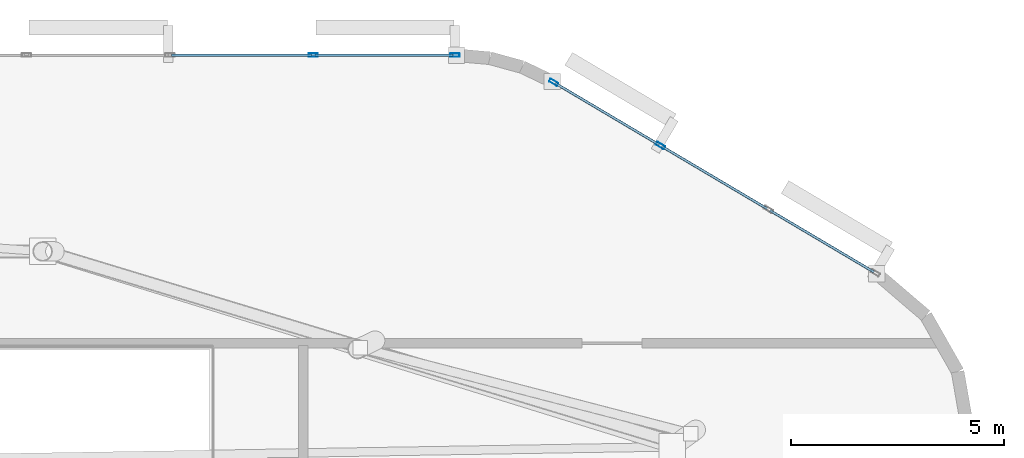
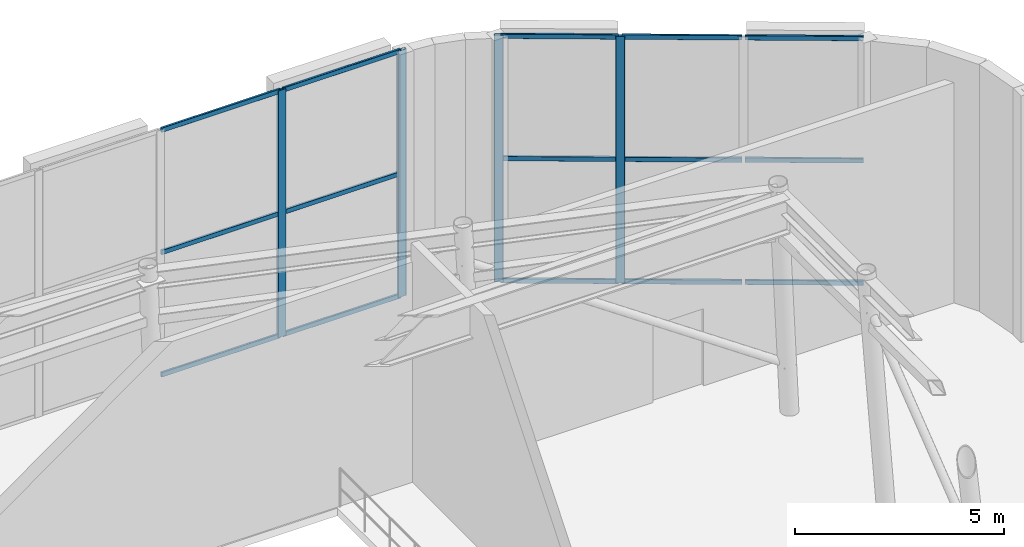
# One storey, part 14 of 20: 19 members, 2 elements without a shape of their own.
"""IFC4 building model written with IfcOpenShell, lengths in metres."""

from ifc_helpers import new_model, si_unit, direction, frame, origin, origin_2d, place, context, subcontext, project, spatial, hollow_rectangle, extrude, material, layer, layer_set, material_profile, profile_set, type_object, element, aggregate, save


model = new_model("IFC4")

# Units and contexts
model_context = context("Model", 3, precision=1e-05, world=origin(), true_north=direction((0.0, 1.0)))
body_context = subcontext(model_context, "Body", "Model", "MODEL_VIEW")
ifc_project = project(units=[si_unit("LENGTHUNIT", "METRE"), si_unit("AREAUNIT", "SQUARE_METRE"), si_unit("VOLUMEUNIT", "CUBIC_METRE"), si_unit("PLANEANGLEUNIT", "RADIAN"), si_unit("MASSUNIT", "GRAM", prefix="KILO")], contexts=[model_context])

# Site, building, storey
site_placement = place(None, origin())
site = spatial("IfcSite", under=ifc_project, at=site_placement, CompositionType="ELEMENT")
building_placement = place(site_placement, origin())
building = spatial("IfcBuilding", under=site, at=building_placement, Name="An Khanh Terracotta Commons", CompositionType="ELEMENT")
storey_placement = place(building_placement, frame((0.0, 0.0, 308.0)))
storey = spatial("IfcBuildingStorey", under=building, at=storey_placement, Name="L79 Crown Damper Gallery", CompositionType="ELEMENT", Elevation=308.0)

# Curtain wall, members
ifc_material = material(Name="Anodised Aluminium 6063-T6", Category="aluminium")
ifc_layer = layer(ifc_material, 0.25, Name="Anodised Aluminium 6063-T6")
ifc_layer_set = layer_set([ifc_layer], Name="Anodised Aluminium 6063-T6")
curtain_wall_type = type_object("IfcCurtainWallType", Name="CW-SYS-05", PredefinedType="USERDEFINED", material=ifc_layer_set)
curtain_wall_1_placement = place(storey_placement, origin())
curtain_wall_1 = element("IfcCurtainWall", 1, at=curtain_wall_1_placement, inside=storey, type_object=curtain_wall_type, Name="L79 Crown Damper Gallery CW-05 Unitised Curtain Wall CW-L79-16", ObjectType="UNITISED CURTAIN WALL", PredefinedType="USERDEFINED")
ifc_material_profile_1 = material_profile(ifc_material, hollow_rectangle(XDim=0.080078125, YDim=0.219970703125, WallThickness=0.0048828125, InnerFilletRadius=0.0048828125, OuterFilletRadius=0.010009765625, at=origin_2d()), Name="RHS220x80x5")
ifc_profile_set_1 = profile_set([ifc_material_profile_1], Name="Anodised Aluminium 6063-T6")
member_type_1 = type_object("IfcMemberType", Name="CWM-RHS220x80x5", PredefinedType="MULLION", material=ifc_profile_set_1)
member_1_placement = place(storey_placement, frame((62.572265625, 35.28271484375, 0.0), z_axis=(0.0, 0.0, 1.0), x_axis=(-0.509780687063, -0.860304394443, 0.0)))
member_1 = element("IfcMember", 2, at=member_1_placement, type_object=member_type_1, Name="CW-05 mullion 3", PredefinedType="MULLION", context=body_context, shape_type="SweptSolid", body=[
    extrude(hollow_rectangle(XDim=0.080078125, YDim=0.219970703125, WallThickness=0.0048828125, InnerFilletRadius=0.0048828125, OuterFilletRadius=0.010009765625, at=origin_2d()), origin(), (0.0, 0.0, 1.0), 7.199951171875),
])
member_2_placement = place(storey_placement, frame((60.071533203125, 36.7646484375, 0.0), z_axis=(0.0, 0.0, 1.0), x_axis=(-0.509780687063, -0.860304394443, 0.0)))
member_2 = element("IfcMember", 3, at=member_2_placement, type_object=member_type_1, Name="CW-05 mullion 4", PredefinedType="MULLION", context=body_context, shape_type="SweptSolid", body=[
    extrude(hollow_rectangle(XDim=0.080078125, YDim=0.219970703125, WallThickness=0.0048828125, InnerFilletRadius=0.0048828125, OuterFilletRadius=0.010009765625, at=origin_2d()), origin(), (0.0, 0.0, 1.0), 7.199951171875),
])

curtain_wall_2_placement = place(storey_placement, origin())
curtain_wall_2 = element("IfcCurtainWall", 4, at=curtain_wall_2_placement, inside=storey, type_object=curtain_wall_type, Name="L79 Crown Damper Gallery CW-05 Unitised Curtain Wall CW-L79-20", ObjectType="UNITISED CURTAIN WALL", PredefinedType="USERDEFINED")
member_3_placement = place(storey_placement, frame((57.75390625, 37.39990234375, 0.0), z_axis=(0.0, 0.0, 1.0), x_axis=(0.0, -1.0, 0.0)))
member_3 = element("IfcMember", 5, at=member_3_placement, type_object=member_type_1, Name="CW-05 mullion 1", PredefinedType="MULLION", context=body_context, shape_type="SweptSolid", body=[
    extrude(hollow_rectangle(XDim=0.080078125, YDim=0.219970703125, WallThickness=0.0048828125, InnerFilletRadius=0.0048828125, OuterFilletRadius=0.010009765625, at=origin_2d()), origin(), (0.0, 0.0, 1.0), 7.199951171875),
])
member_4_placement = place(storey_placement, frame((54.4345703125, 37.39990234375, 0.0), z_axis=(0.0, 0.0, 1.0), x_axis=(0.0, -1.0, 0.0)))
member_4 = element("IfcMember", 6, at=member_4_placement, type_object=member_type_1, Name="CW-05 mullion 2", PredefinedType="MULLION", context=body_context, shape_type="SweptSolid", body=[
    extrude(hollow_rectangle(XDim=0.080078125, YDim=0.219970703125, WallThickness=0.0048828125, InnerFilletRadius=0.0048828125, OuterFilletRadius=0.010009765625, at=origin_2d()), origin(), (0.0, 0.0, 1.0), 7.199951171875),
])

# Member
ifc_material_profile_2 = material_profile(ifc_material, hollow_rectangle(XDim=0.06005859375, YDim=0.135009765625, WallThickness=0.003662109375, InnerFilletRadius=0.003662109375, OuterFilletRadius=0.007080078125, at=origin_2d()), Name="RHS135x60x3.6")
ifc_profile_set_2 = profile_set([ifc_material_profile_2], Name="Anodised Aluminium 6063-T6")
member_type_2 = type_object("IfcMemberType", Name="CWT-RHS135x60x3.6", PredefinedType="USERDEFINED", material=ifc_profile_set_2)
member_5_placement = place(storey_placement, frame((67.57421875, 32.31884765625, 0.030029296875), z_axis=(-0.860306963859, 0.509776350899, 0.0), x_axis=(-0.509776350899, -0.860306963859, 0.0)))
member_5 = element("IfcMember", 7, at=member_5_placement, type_object=member_type_2, Name="CW-05 transom 1.1", ObjectType="TRANSOM", PredefinedType="USERDEFINED", context=body_context, shape_type="SweptSolid", body=[
    extrude(hollow_rectangle(XDim=0.06005859375, YDim=0.135009765625, WallThickness=0.003662109375, InnerFilletRadius=0.003662109375, OuterFilletRadius=0.007080078125, at=origin_2d()), origin(), (0.0, 0.0, 1.0), 2.8271484375),
])

member_6_placement = place(storey_placement, frame((67.57421875, 32.31884765625, 3.60009765625), z_axis=(-0.860306963859, 0.509776350899, 0.0), x_axis=(-0.509776350899, -0.860306963859, 0.0)))
member_6 = element("IfcMember", 8, at=member_6_placement, type_object=member_type_2, Name="CW-05 transom 1.2", ObjectType="TRANSOM", PredefinedType="USERDEFINED", context=body_context, shape_type="SweptSolid", body=[
    extrude(hollow_rectangle(XDim=0.06005859375, YDim=0.135009765625, WallThickness=0.003662109375, InnerFilletRadius=0.003662109375, OuterFilletRadius=0.007080078125, at=origin_2d()), origin(), (0.0, 0.0, 1.0), 2.8271484375),
])

member_7_placement = place(storey_placement, frame((67.57421875, 32.31884765625, 7.169921875), z_axis=(-0.860306963859, 0.509776350899, 0.0), x_axis=(-0.509776350899, -0.860306963859, 0.0)))
member_7 = element("IfcMember", 9, at=member_7_placement, type_object=member_type_2, Name="CW-05 transom 1.3", ObjectType="TRANSOM", PredefinedType="USERDEFINED", context=body_context, shape_type="SweptSolid", body=[
    extrude(hollow_rectangle(XDim=0.06005859375, YDim=0.135009765625, WallThickness=0.003662109375, InnerFilletRadius=0.003662109375, OuterFilletRadius=0.007080078125, at=origin_2d()), origin(), (0.0, 0.0, 1.0), 2.8271484375),
])

member_8_placement = place(storey_placement, frame((65.0732421875, 33.80078125, 0.030029296875), z_axis=(-0.860327495706, 0.509741699425, 0.0), x_axis=(-0.509741699425, -0.860327495706, 0.0)))
member_8 = element("IfcMember", 10, at=member_8_placement, type_object=member_type_2, Name="CW-05 transom 2.1", ObjectType="TRANSOM", PredefinedType="USERDEFINED", context=body_context, shape_type="SweptSolid", body=[
    extrude(hollow_rectangle(XDim=0.06005859375, YDim=0.135009765625, WallThickness=0.003662109375, InnerFilletRadius=0.003662109375, OuterFilletRadius=0.007080078125, at=origin_2d()), origin(), (0.0, 0.0, 1.0), 2.866943359375),
])

member_9_placement = place(storey_placement, frame((65.0732421875, 33.80078125, 3.60009765625), z_axis=(-0.860327495706, 0.509741699425, 0.0), x_axis=(-0.509741699425, -0.860327495706, 0.0)))
member_9 = element("IfcMember", 11, at=member_9_placement, type_object=member_type_2, Name="CW-05 transom 2.2", ObjectType="TRANSOM", PredefinedType="USERDEFINED", context=body_context, shape_type="SweptSolid", body=[
    extrude(hollow_rectangle(XDim=0.06005859375, YDim=0.135009765625, WallThickness=0.003662109375, InnerFilletRadius=0.003662109375, OuterFilletRadius=0.007080078125, at=origin_2d()), origin(), (0.0, 0.0, 1.0), 2.866943359375),
])

member_10_placement = place(storey_placement, frame((65.0732421875, 33.80078125, 7.169921875), z_axis=(-0.860327495706, 0.509741699425, 0.0), x_axis=(-0.509741699425, -0.860327495706, 0.0)))
member_10 = element("IfcMember", 12, at=member_10_placement, type_object=member_type_2, Name="CW-05 transom 2.3", ObjectType="TRANSOM", PredefinedType="USERDEFINED", context=body_context, shape_type="SweptSolid", body=[
    extrude(hollow_rectangle(XDim=0.06005859375, YDim=0.135009765625, WallThickness=0.003662109375, InnerFilletRadius=0.003662109375, OuterFilletRadius=0.007080078125, at=origin_2d()), origin(), (0.0, 0.0, 1.0), 2.866943359375),
])

member_11_placement = place(storey_placement, frame((62.537841796875, 35.302978515625, 0.030029296875), z_axis=(-0.860306963859, 0.509776350899, 0.0), x_axis=(-0.509776350899, -0.860306963859, 0.0)))
member_11 = element("IfcMember", 13, at=member_11_placement, type_object=member_type_2, Name="CW-05 transom 3.1", ObjectType="TRANSOM", PredefinedType="USERDEFINED", context=body_context, shape_type="SweptSolid", body=[
    extrude(hollow_rectangle(XDim=0.06005859375, YDim=0.135009765625, WallThickness=0.003662109375, InnerFilletRadius=0.003662109375, OuterFilletRadius=0.007080078125, at=origin_2d()), origin(), (0.0, 0.0, 1.0), 2.8271484375),
])

member_12_placement = place(storey_placement, frame((62.537841796875, 35.302978515625, 3.60009765625), z_axis=(-0.860306963859, 0.509776350899, 0.0), x_axis=(-0.509776350899, -0.860306963859, 0.0)))
member_12 = element("IfcMember", 14, at=member_12_placement, type_object=member_type_2, Name="CW-05 transom 3.2", ObjectType="TRANSOM", PredefinedType="USERDEFINED", context=body_context, shape_type="SweptSolid", body=[
    extrude(hollow_rectangle(XDim=0.06005859375, YDim=0.135009765625, WallThickness=0.003662109375, InnerFilletRadius=0.003662109375, OuterFilletRadius=0.007080078125, at=origin_2d()), origin(), (0.0, 0.0, 1.0), 2.8271484375),
])

member_13_placement = place(storey_placement, frame((62.537841796875, 35.302978515625, 7.169921875), z_axis=(-0.860306963859, 0.509776350899, 0.0), x_axis=(-0.509776350899, -0.860306963859, 0.0)))
member_13 = element("IfcMember", 15, at=member_13_placement, type_object=member_type_2, Name="CW-05 transom 3.3", ObjectType="TRANSOM", PredefinedType="USERDEFINED", context=body_context, shape_type="SweptSolid", body=[
    extrude(hollow_rectangle(XDim=0.06005859375, YDim=0.135009765625, WallThickness=0.003662109375, InnerFilletRadius=0.003662109375, OuterFilletRadius=0.007080078125, at=origin_2d()), origin(), (0.0, 0.0, 1.0), 2.8271484375),
])

aggregate(curtain_wall_1, [member_1, member_2, member_5, member_6, member_7, member_8, member_9, member_10, member_11, member_12, member_13])

member_14_placement = place(storey_placement, frame((57.714111328125, 37.39990234375, 0.030029296875), z_axis=(-1.0, 0.0, 0.0), x_axis=(0.0, -1.0, 0.0)))
member_14 = element("IfcMember", 16, at=member_14_placement, type_object=member_type_2, Name="CW-05 transom 1.1", ObjectType="TRANSOM", PredefinedType="USERDEFINED", context=body_context, shape_type="SweptSolid", body=[
    extrude(hollow_rectangle(XDim=0.06005859375, YDim=0.135009765625, WallThickness=0.003662109375, InnerFilletRadius=0.003662109375, OuterFilletRadius=0.007080078125, at=origin_2d()), origin(), (0.0, 0.0, 1.0), 3.239501953125),
])

member_15_placement = place(storey_placement, frame((57.714111328125, 37.39990234375, 3.60009765625), z_axis=(-1.0, 0.0, 0.0), x_axis=(0.0, -1.0, 0.0)))
member_15 = element("IfcMember", 17, at=member_15_placement, type_object=member_type_2, Name="CW-05 transom 1.2", ObjectType="TRANSOM", PredefinedType="USERDEFINED", context=body_context, shape_type="SweptSolid", body=[
    extrude(hollow_rectangle(XDim=0.06005859375, YDim=0.135009765625, WallThickness=0.003662109375, InnerFilletRadius=0.003662109375, OuterFilletRadius=0.007080078125, at=origin_2d()), origin(), (0.0, 0.0, 1.0), 3.239501953125),
])

member_16_placement = place(storey_placement, frame((57.714111328125, 37.39990234375, 7.169921875), z_axis=(-1.0, 0.0, 0.0), x_axis=(0.0, -1.0, 0.0)))
member_16 = element("IfcMember", 18, at=member_16_placement, type_object=member_type_2, Name="CW-05 transom 1.3", ObjectType="TRANSOM", PredefinedType="USERDEFINED", context=body_context, shape_type="SweptSolid", body=[
    extrude(hollow_rectangle(XDim=0.06005859375, YDim=0.135009765625, WallThickness=0.003662109375, InnerFilletRadius=0.003662109375, OuterFilletRadius=0.007080078125, at=origin_2d()), origin(), (0.0, 0.0, 1.0), 3.239501953125),
])

member_17_placement = place(storey_placement, frame((54.39453125, 37.39990234375, 0.030029296875), z_axis=(-1.0, 0.0, 0.0), x_axis=(0.0, -1.0, 0.0)))
member_17 = element("IfcMember", 19, at=member_17_placement, type_object=member_type_2, Name="CW-05 transom 2.1", ObjectType="TRANSOM", PredefinedType="USERDEFINED", context=body_context, shape_type="SweptSolid", body=[
    extrude(hollow_rectangle(XDim=0.06005859375, YDim=0.135009765625, WallThickness=0.003662109375, InnerFilletRadius=0.003662109375, OuterFilletRadius=0.007080078125, at=origin_2d()), origin(), (0.0, 0.0, 1.0), 3.279296875),
])

member_18_placement = place(storey_placement, frame((54.39453125, 37.39990234375, 3.60009765625), z_axis=(-1.0, 0.0, 0.0), x_axis=(0.0, -1.0, 0.0)))
member_18 = element("IfcMember", 20, at=member_18_placement, type_object=member_type_2, Name="CW-05 transom 2.2", ObjectType="TRANSOM", PredefinedType="USERDEFINED", context=body_context, shape_type="SweptSolid", body=[
    extrude(hollow_rectangle(XDim=0.06005859375, YDim=0.135009765625, WallThickness=0.003662109375, InnerFilletRadius=0.003662109375, OuterFilletRadius=0.007080078125, at=origin_2d()), origin(), (0.0, 0.0, 1.0), 3.279296875),
])

member_19_placement = place(storey_placement, frame((54.39453125, 37.39990234375, 7.169921875), z_axis=(-1.0, 0.0, 0.0), x_axis=(0.0, -1.0, 0.0)))
member_19 = element("IfcMember", 21, at=member_19_placement, type_object=member_type_2, Name="CW-05 transom 2.3", ObjectType="TRANSOM", PredefinedType="USERDEFINED", context=body_context, shape_type="SweptSolid", body=[
    extrude(hollow_rectangle(XDim=0.06005859375, YDim=0.135009765625, WallThickness=0.003662109375, InnerFilletRadius=0.003662109375, OuterFilletRadius=0.007080078125, at=origin_2d()), origin(), (0.0, 0.0, 1.0), 3.279296875),
])

aggregate(curtain_wall_2, [member_3, member_4, member_14, member_15, member_16, member_17, member_18, member_19])

save(model, "model.ifc")
